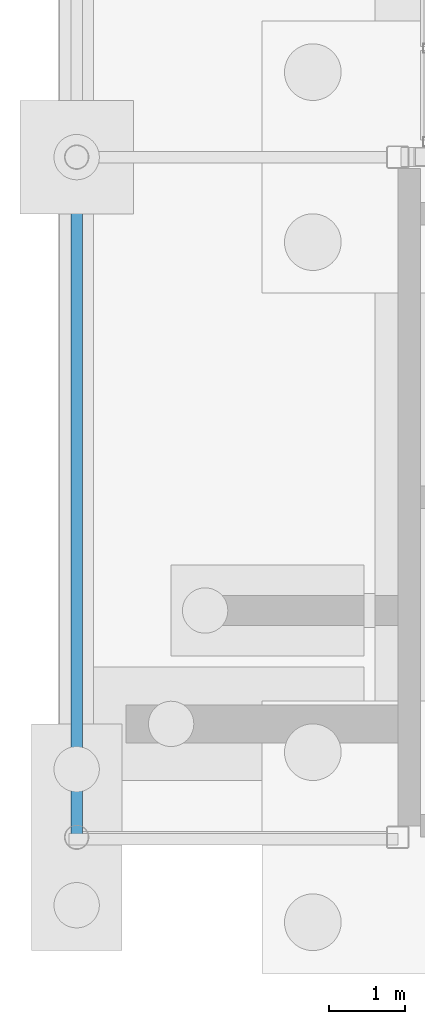
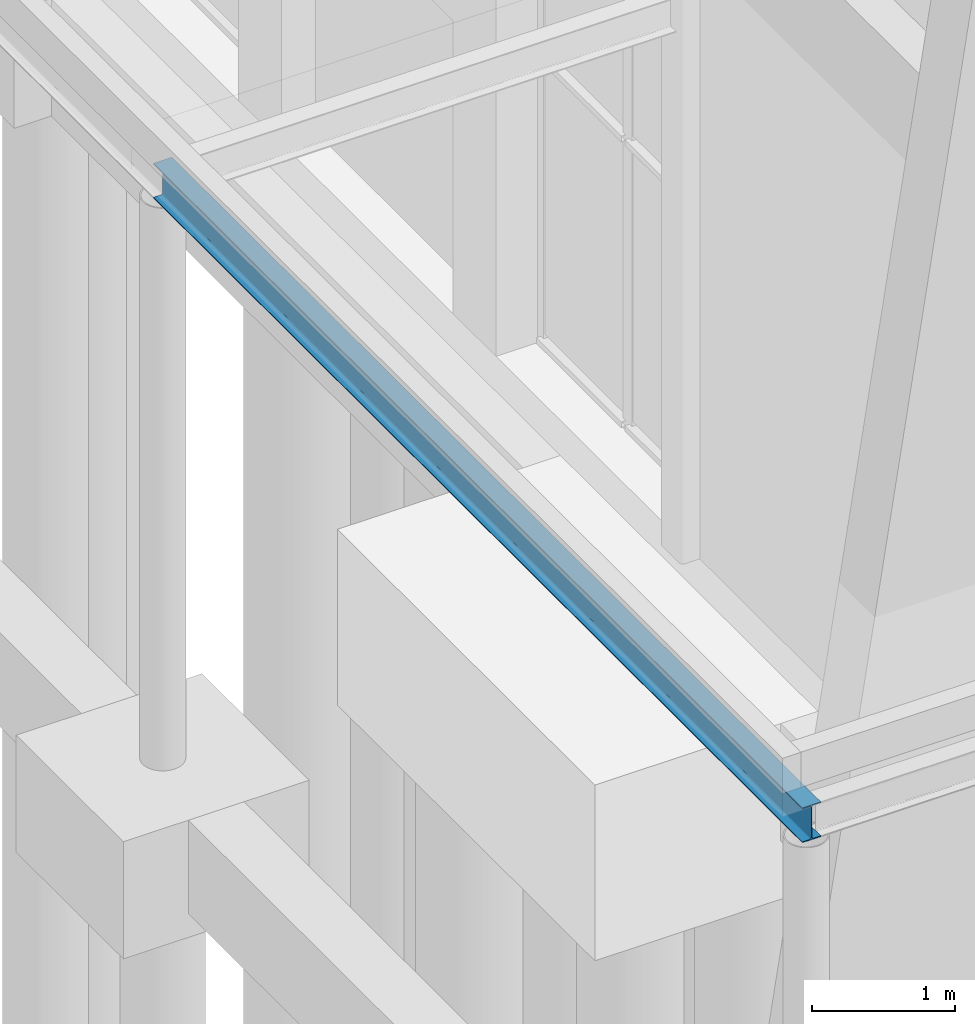
# One storey, part 39 of 139: 1 beam.
"""IFC4 building model written with IfcOpenShell, lengths in metres."""

from ifc_helpers import new_model, si_unit, direction, frame, origin, origin_2d, place, context, subcontext, project, spatial, i_section, extrude, material, material_profile, profile_set, type_object, element, save


model = new_model("IFC4")

# Units and contexts
model_context = context("Model", 3, precision=1e-05, world=origin(), true_north=direction((0.0, 1.0)))
body_context = subcontext(model_context, "Body", "Model", "MODEL_VIEW")
ifc_project = project(units=[si_unit("LENGTHUNIT", "METRE"), si_unit("AREAUNIT", "SQUARE_METRE"), si_unit("VOLUMEUNIT", "CUBIC_METRE"), si_unit("PLANEANGLEUNIT", "RADIAN"), si_unit("MASSUNIT", "GRAM", prefix="KILO")], contexts=[model_context])

# Site, building, storey
site_placement = place(None, origin())
site = spatial("IfcSite", under=ifc_project, at=site_placement, CompositionType="ELEMENT")
building_placement = place(site_placement, origin())
building = spatial("IfcBuilding", under=site, at=building_placement, Name="Shorebreak Coast Museum", CompositionType="ELEMENT")
storey_placement = place(building_placement, origin())
storey = spatial("IfcBuildingStorey", under=building, at=storey_placement, Name="L00", CompositionType="ELEMENT", Elevation=0.0)

# Beam
ifc_material = material(Name="Steel Grade 300", Category="steel")
ifc_material_profile = material_profile(ifc_material, i_section(OverallWidth=0.14892578125, OverallDepth=0.298095703125, WebThickness=0.005615234375, FlangeThickness=0.008056640625, FilletRadius=0.012939453125, at=origin_2d()), Name="310UB32.0")
ifc_profile_set = profile_set([ifc_material_profile], Name="Steel Grade 300")
beam_type = type_object("IfcBeamType", Name="Arcade edge beam 310UB32.0", PredefinedType="BEAM", material=ifc_profile_set)
beam_placement = place(storey_placement, frame((-4.25, 53.925537109375, 4.65087890625), z_axis=(0.0, 1.0, 0.0), x_axis=(-1.0, 0.0, 0.0)))
element("IfcBeam", 1, at=beam_placement, inside=storey, type_object=beam_type, Name="Arcade edge beam west 1", PredefinedType="BEAM", context=body_context, shape_type="SweptSolid", body=[
    extrude(i_section(OverallWidth=0.14892578125, OverallDepth=0.298095703125, WebThickness=0.005615234375, FlangeThickness=0.008056640625, FilletRadius=0.012939453125, at=origin_2d()), origin(), (0.0, 0.0, 1.0), 9.074462890625),
])

save(model, "model.ifc")
